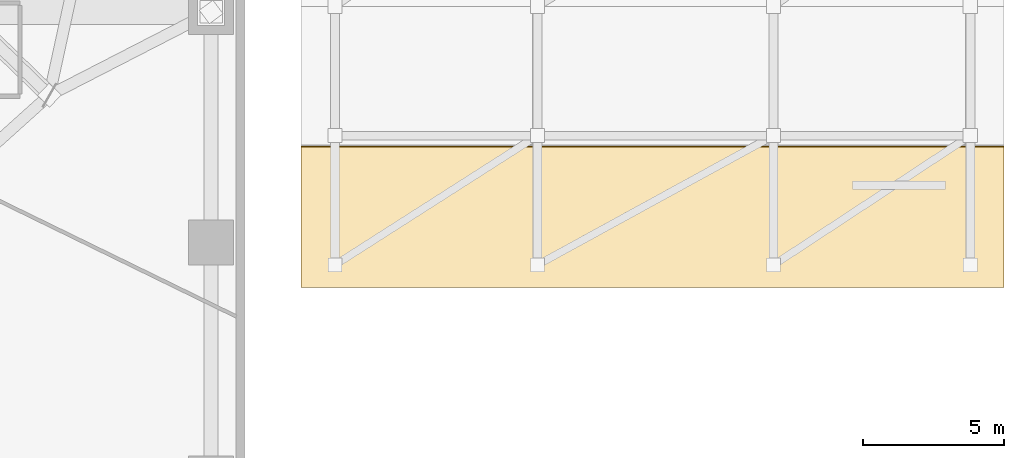
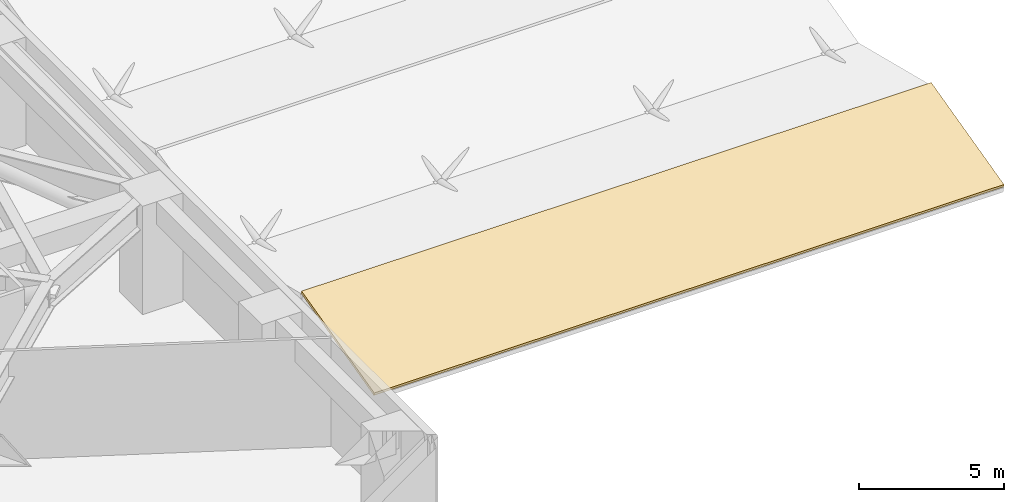
# One storey, part 13 of 13: 1 covering.
"""IFC4 building model written with IfcOpenShell, lengths in metres."""

from ifc_helpers import new_model, si_unit, direction, frame, origin, place, context, subcontext, project, spatial, polyline, outline, extrude, material, layer, layer_set, type_object, element, save


model = new_model("IFC4")

# Units and contexts
model_context = context("Model", 3, precision=1e-05, world=origin(), true_north=direction((0.0, 1.0)))
body_context = subcontext(model_context, "Body", "Model", "MODEL_VIEW")
ifc_project = project(units=[si_unit("LENGTHUNIT", "METRE"), si_unit("AREAUNIT", "SQUARE_METRE"), si_unit("VOLUMEUNIT", "CUBIC_METRE"), si_unit("PLANEANGLEUNIT", "RADIAN"), si_unit("MASSUNIT", "GRAM", prefix="KILO")], contexts=[model_context])

# Site, building, storey
site_placement = place(None, origin())
site = spatial("IfcSite", under=ifc_project, at=site_placement, CompositionType="ELEMENT")
building_placement = place(site_placement, origin())
building = spatial("IfcBuilding", under=site, at=building_placement, Name="Talar Marvaseh", CompositionType="ELEMENT")
storey_placement = place(building_placement, frame((0.0, 0.0, 19.0)))
storey = spatial("IfcBuildingStorey", under=building, at=storey_placement, Name="L04", CompositionType="ELEMENT", Elevation=19.0)

# Covering
ifc_material = material(Name="Elastomeric Waterproof Roofing Membrane")
ifc_layer = layer(ifc_material, 0.1201171875)
ifc_layer_set = layer_set([ifc_layer], Name="Elastomeric Waterproof Roofing Membrane")
covering_type = type_object("IfcCoveringType", Name="Elastomeric Insulated Roof Waterproofing Membrane", PredefinedType="ROOFING", material=ifc_layer_set)
covering_placement = place(storey_placement, frame((54.0, 16.0, 0.77001953125), z_axis=(0.0, -0.242000509402, 0.970276122271), x_axis=(1.0, 0.0, 0.0)))
element("IfcCovering", 1, at=covering_placement, inside=storey, type_object=covering_type, Name="L04 Market Hall Vaulted Roof Waterproofing", PredefinedType="ROOFING", context=body_context, shape_type="SweptSolid", body=[
    extrude(outline(polyline([(0.0, 0.0), (25.0, 0.0), (25.0, 5.153172262239916), (0.0, 5.153172262239916), (0.0, 0.0)])), origin(), (0.0, 0.0, -1.0), 0.1201171875),
])

save(model, "model.ifc")
